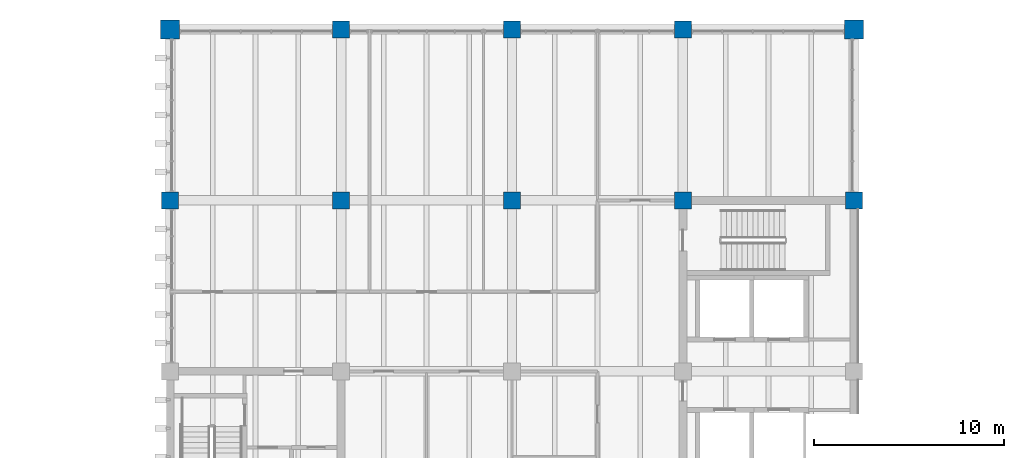
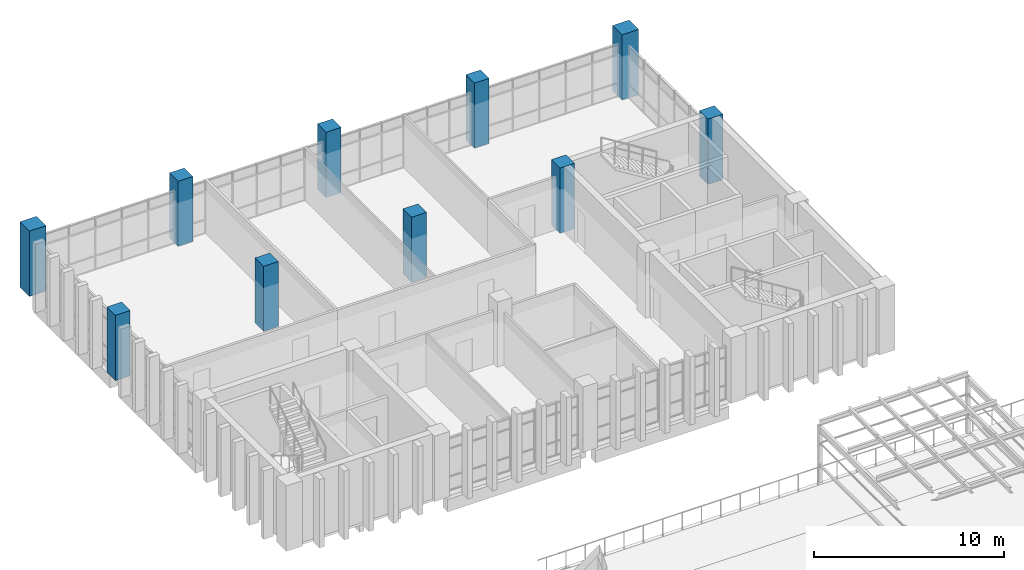
# One storey, part 5 of 74: 10 columns.
"""IFC4 building model written with IfcOpenShell, lengths in metres."""

from ifc_helpers import new_model, si_unit, direction, frame, origin, origin_2d, place, context, subcontext, project, spatial, rectangle, extrude, material, material_profile, profile_set, type_object, element, save


model = new_model("IFC4")

# Units and contexts
model_context = context("Model", 3, precision=1e-05, world=origin(), true_north=direction((0.0, 1.0)))
body_context = subcontext(model_context, "Body", "Model", "MODEL_VIEW")
ifc_project = project(units=[si_unit("LENGTHUNIT", "METRE"), si_unit("AREAUNIT", "SQUARE_METRE"), si_unit("VOLUMEUNIT", "CUBIC_METRE"), si_unit("PLANEANGLEUNIT", "RADIAN"), si_unit("MASSUNIT", "GRAM", prefix="KILO")], contexts=[model_context])

# Site, building, storey
site_placement = place(None, origin())
site = spatial("IfcSite", under=ifc_project, at=site_placement, CompositionType="ELEMENT")
building_placement = place(site_placement, origin())
building = spatial("IfcBuilding", under=site, at=building_placement, Name="Merrow Basin Faculty of Sciences", CompositionType="ELEMENT")
storey_placement = place(building_placement, frame((0.0, 0.0, 13.5)))
storey = spatial("IfcBuildingStorey", under=building, at=storey_placement, Name="L03", CompositionType="ELEMENT", Elevation=13.5)

# Columns
ifc_material_1 = material(Name="Concrete C50/60", Category="concrete")
ifc_material_profile_1 = material_profile(ifc_material_1, rectangle(XDim=1.0, YDim=1.0, at=origin_2d()))
ifc_profile_set_1 = profile_set([ifc_material_profile_1], Name="Concrete C50/60")
column_type_1 = type_object("IfcColumnType", Name="Column RC1000x1000 C50/60", PredefinedType="COLUMN", material=ifc_profile_set_1)
for number, where, z_axis, x_axis, name in (
    (1, (18.0, 169.0, 0.0), (0.0, 0.0, 1.0), (1.0, 0.0, 0.0), "Column S16 L03"),
    (2, (54.0, 169.0, 0.0), (0.0, 0.0, 1.0), (1.0, 0.0, 0.0), "Column G16 L03"),
):
    element("IfcColumn", number, at=place(storey_placement, frame(where, z_axis=z_axis, x_axis=x_axis)), inside=storey, type_object=column_type_1, Name=name, PredefinedType="COLUMN", context=body_context, shape_type="SweptSolid", body=[
        extrude(rectangle(XDim=1.0, YDim=1.0, at=origin_2d()), origin(), (0.0, 0.0, 1.0), 4.199951171875),
    ])
ifc_material_2 = material(Name="Concrete C50/60", Category="concrete")
ifc_material_profile_2 = material_profile(ifc_material_2, rectangle(XDim=0.89990234375, YDim=0.89990234375, at=origin_2d()))
ifc_profile_set_2 = profile_set([ifc_material_profile_2], Name="Concrete C50/60")
column_type_2 = type_object("IfcColumnType", Name="Column RC900x900 C50/60", PredefinedType="COLUMN", material=ifc_profile_set_2)
for number, where, z_axis, x_axis, name in (
    (3, (18.0, 160.0, 0.0), (0.0, 0.0, 1.0), (1.0, 0.0, 0.0), "Column S15 L03"),
    (4, (27.0, 160.0, 0.0), (0.0, 0.0, 1.0), (1.0, 0.0, 0.0), "Column D15 L03"),
    (5, (27.0, 169.0, 0.0), (0.0, 0.0, 1.0), (1.0, 0.0, 0.0), "Column D16 L03"),
    (6, (36.0, 160.0, 0.0), (0.0, 0.0, 1.0), (1.0, 0.0, 0.0), "Column E15 L03"),
    (7, (36.0, 169.0, 0.0), (0.0, 0.0, 1.0), (1.0, 0.0, 0.0), "Column E16 L03"),
    (8, (45.0, 160.0, 0.0), (0.0, 0.0, 1.0), (1.0, 0.0, 0.0), "Column F15 L03"),
    (9, (45.0, 169.0, 0.0), (0.0, 0.0, 1.0), (1.0, 0.0, 0.0), "Column F16 L03"),
    (10, (54.0, 160.0, 0.0), (0.0, 0.0, 1.0), (1.0, 0.0, 0.0), "Column G15 L03"),
):
    element("IfcColumn", number, at=place(storey_placement, frame(where, z_axis=z_axis, x_axis=x_axis)), inside=storey, type_object=column_type_2, Name=name, PredefinedType="COLUMN", context=body_context, shape_type="SweptSolid", body=[
        extrude(rectangle(XDim=0.89990234375, YDim=0.89990234375, at=origin_2d()), origin(), (0.0, 0.0, 1.0), 4.199951171875),
    ])

save(model, "model.ifc")
